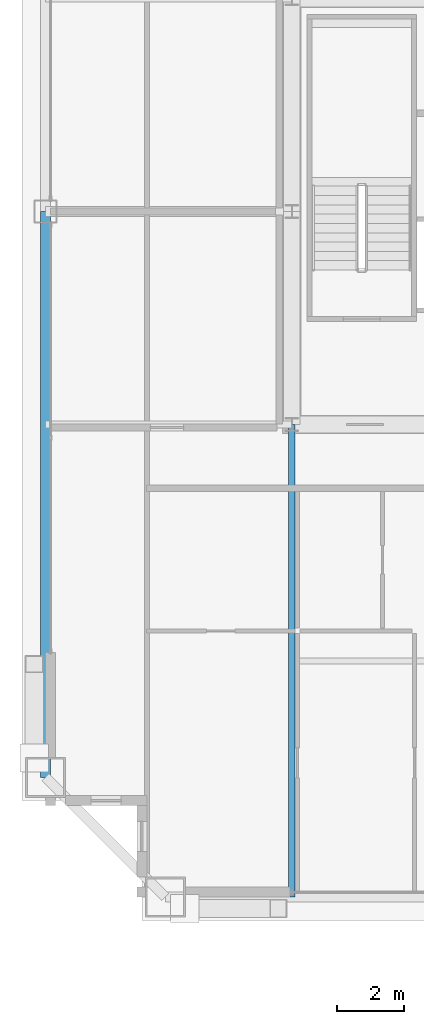
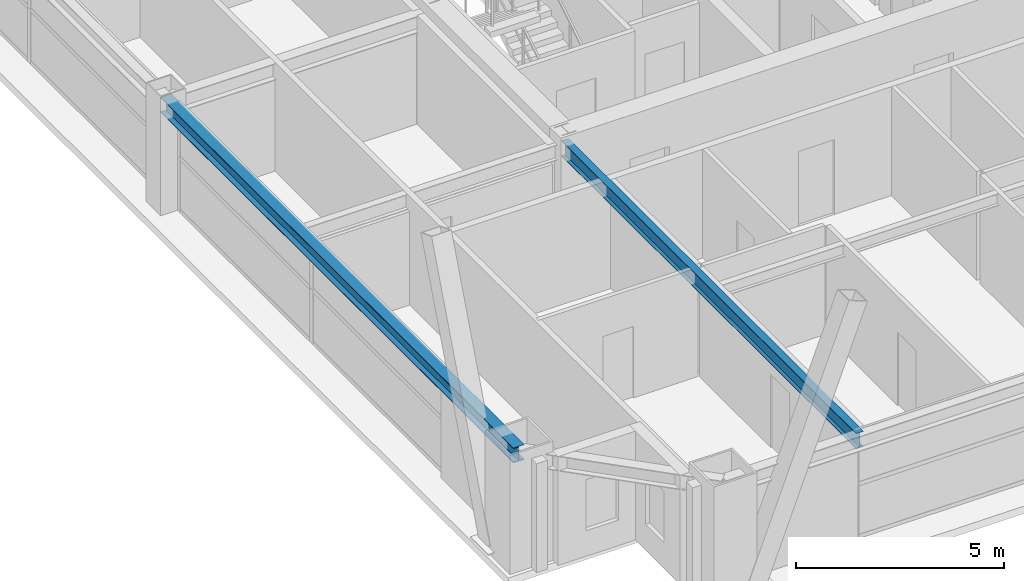
# One storey, part 7 of 36: 2 beams.
"""IFC4 building model written with IfcOpenShell, lengths in metres."""

from ifc_helpers import new_model, si_unit, direction, frame, origin, origin_2d, place, context, subcontext, project, spatial, i_section, extrude, source, transform, mapped, material, material_profile, profile_set, type_object, element, save


model = new_model("IFC4")

# Units and contexts
model_context = context("Model", 3, precision=1e-05, world=origin(), true_north=direction((0.0, 1.0)))
body_context = subcontext(model_context, "Body", "Model", "MODEL_VIEW")
ifc_project = project(units=[si_unit("LENGTHUNIT", "METRE"), si_unit("AREAUNIT", "SQUARE_METRE"), si_unit("VOLUMEUNIT", "CUBIC_METRE"), si_unit("PLANEANGLEUNIT", "RADIAN"), si_unit("MASSUNIT", "GRAM", prefix="KILO"), si_unit("THERMODYNAMICTEMPERATUREUNIT", "KELVIN"), si_unit("POWERUNIT", "WATT")], contexts=[model_context])

# Site, building, storey
site_placement = place(None, origin())
site = spatial("IfcSite", under=ifc_project, at=site_placement, CompositionType="ELEMENT")
building_placement = place(site_placement, origin())
building = spatial("IfcBuilding", under=site, at=building_placement, Name="Yuzanri Waterfront Tower", CompositionType="ELEMENT")
storey_placement = place(building_placement, frame((0.0, 0.0, 255.60009765625)))
storey = spatial("IfcBuildingStorey", under=building, at=storey_placement, Name="L68", CompositionType="ELEMENT", Elevation=255.60009765625)

# Beams
ifc_material_1 = material(Name="Steel Q355B", Category="steel")
ifc_material_profile_1 = material_profile(ifc_material_1, i_section(OverallWidth=0.300048828125, OverallDepth=0.43994140625, WebThickness=0.010986328125, FlangeThickness=0.01806640625, at=origin_2d()), Name="HM 440x300x11x18")
ifc_profile_set_1 = profile_set([ifc_material_profile_1], Name="Steel Q355B")
beam_type_1 = type_object("IfcBeamType", Name="Perimeter Spandrel Q355B HM 440x300", PredefinedType="SPANDREL", material=ifc_profile_set_1)
shared_shape_1 = source(origin(), body_context, "Body", "SweptSolid", [
    extrude(i_section(OverallWidth=0.300048828125, OverallDepth=0.43994140625, WebThickness=0.010986328125, FlangeThickness=0.01806640625, at=origin_2d()), origin(), (0.0, 0.0, 1.0), 17.0),
])
beam_1_placement = place(storey_placement, frame((16.39990234375, 25.800048828125, 2.97998046875), z_axis=(0.0, -1.0, 0.0), x_axis=(1.0, 0.0, 0.0)))
element("IfcBeam", 1, at=beam_1_placement, inside=storey, type_object=beam_type_1, Name="L68 Perimeter Spandrel W2-W1", PredefinedType="SPANDREL", context=body_context, shape_type="MappedRepresentation", body=[
    mapped(shared_shape_1, transform((0.0, 0.0, 0.0), scale=1.0)),
])
ifc_material_2 = material(Name="Steel Q355B", Category="steel")
ifc_material_profile_2 = material_profile(ifc_material_2, i_section(OverallWidth=0.199951171875, OverallDepth=0.449951171875, WebThickness=0.009033203125, FlangeThickness=0.013916015625, at=origin_2d()), Name="HN 450x200x9x14")
ifc_profile_set_2 = profile_set([ifc_material_profile_2], Name="Steel Q355B")
beam_type_2 = type_object("IfcBeamType", Name="Secondary Floor Beam Q355B HN 450x200", PredefinedType="BEAM", material=ifc_profile_set_2)
shared_shape_2 = source(origin(), body_context, "Body", "SweptSolid", [
    extrude(i_section(OverallWidth=0.199951171875, OverallDepth=0.449951171875, WebThickness=0.009033203125, FlangeThickness=0.013916015625, at=origin_2d()), origin(), (0.0, 0.0, 1.0), 14.199951171875),
])
beam_2_placement = place(storey_placement, frame((23.800048828125, 19.39990234375, 2.974853515625), z_axis=(0.0, -1.0, 0.0), x_axis=(1.0, 0.0, 0.0)))
element("IfcBeam", 2, at=beam_2_placement, inside=storey, type_object=beam_type_2, Name="L68 South-West Core Line Beam", PredefinedType="BEAM", context=body_context, shape_type="MappedRepresentation", body=[
    mapped(shared_shape_2, transform((0.0, 0.0, 0.0), scale=1.0)),
])

save(model, "model.ifc")
